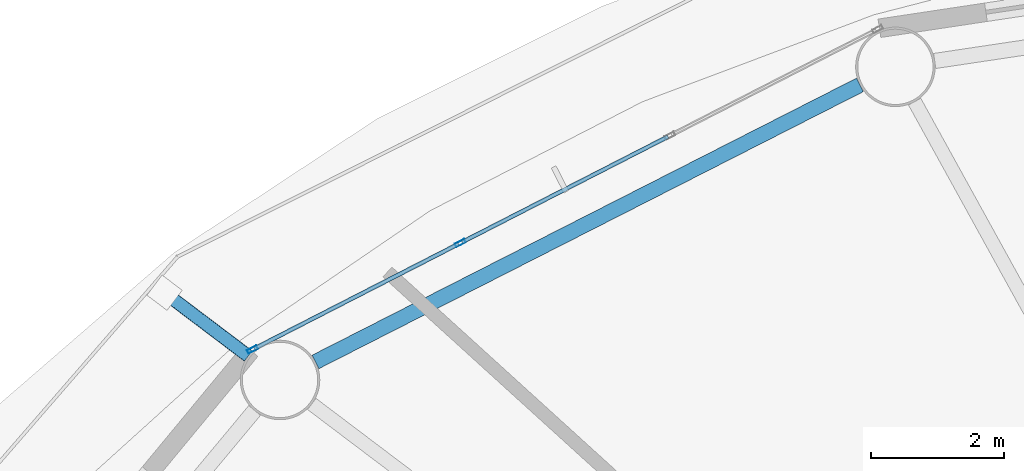
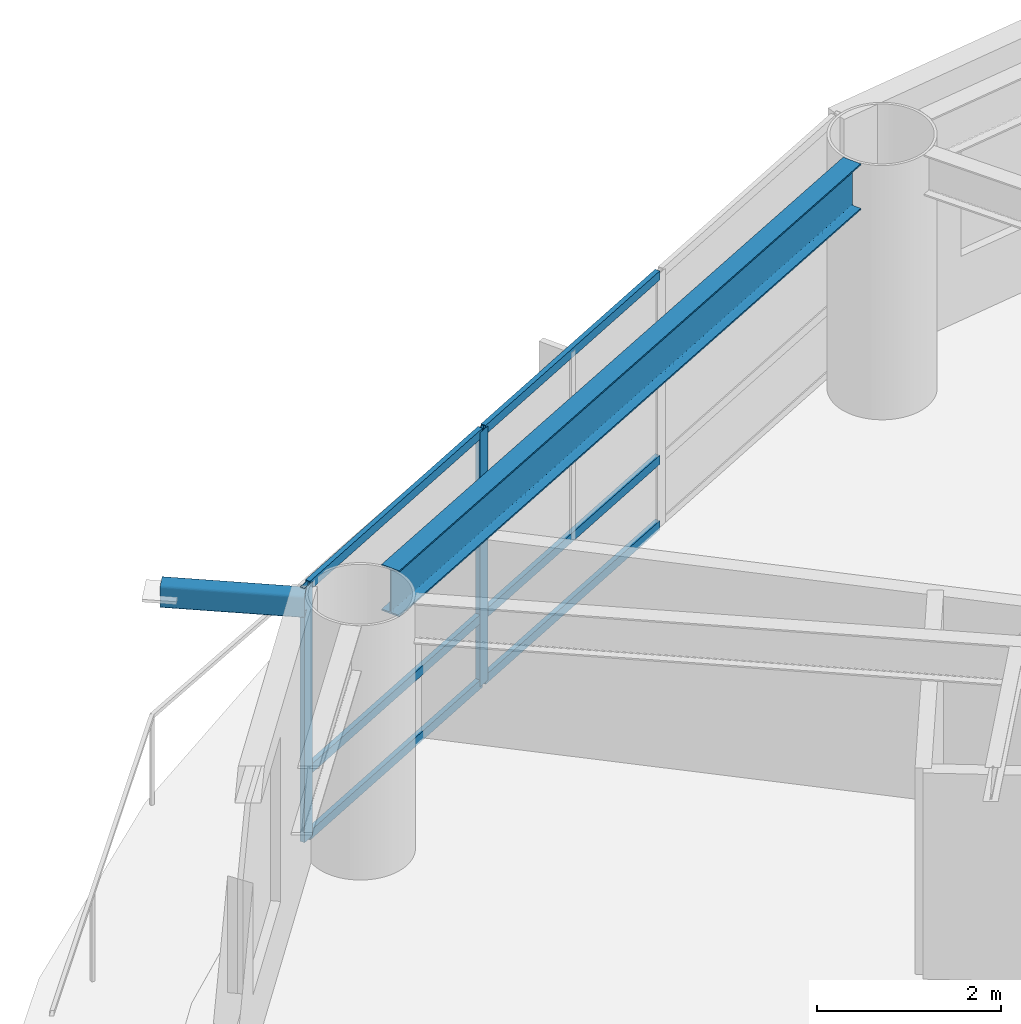
# One storey, part 8 of 24: 9 members, 1 beam, 1 element without a shape of its own.
"""IFC4 building model written with IfcOpenShell, lengths in metres."""

from ifc_helpers import new_model, si_unit, direction, frame, origin, origin_2d, place, context, subcontext, project, spatial, hollow_rectangle, i_section, extrude, material, layer, layer_set, material_profile, profile_set, type_object, element, aggregate, save


model = new_model("IFC4")

# Units and contexts
model_context = context("Model", 3, precision=1e-05, world=origin(), true_north=direction((0.0, 1.0)))
body_context = subcontext(model_context, "Body", "Model", "MODEL_VIEW")
ifc_project = project(units=[si_unit("LENGTHUNIT", "METRE"), si_unit("AREAUNIT", "SQUARE_METRE"), si_unit("VOLUMEUNIT", "CUBIC_METRE"), si_unit("PLANEANGLEUNIT", "RADIAN"), si_unit("MASSUNIT", "GRAM", prefix="KILO")], contexts=[model_context])

# Site, building, storey
site_placement = place(None, origin())
site = spatial("IfcSite", under=ifc_project, at=site_placement, CompositionType="ELEMENT")
building_placement = place(site_placement, origin())
building = spatial("IfcBuilding", under=site, at=building_placement, Name="Sarneth Arch Tower", CompositionType="ELEMENT")
storey_placement = place(building_placement, frame((0.0, 0.0, 105.60009765625)))
storey = spatial("IfcBuildingStorey", under=building, at=storey_placement, Name="L26", CompositionType="ELEMENT", Elevation=105.60009765625)

# Beam
ifc_material_1 = material(Name="Steel S355", Category="steel")
ifc_material_profile_1 = material_profile(ifc_material_1, i_section(OverallWidth=0.22900390625, OverallDepth=0.612060546875, WebThickness=0.011962890625, FlangeThickness=0.01953125, FilletRadius=0.01904296875, at=origin_2d()), Name="W610x125")
ifc_profile_set_1 = profile_set([ifc_material_profile_1], Name="Steel S355")
beam_type = type_object("IfcBeamType", Name="BM-SPAN-610C", PredefinedType="SPANDREL", material=ifc_profile_set_1)
beam_placement = place(storey_placement, frame((36.35498046875, 61.868408203125, 3.073974609375), z_axis=(-0.891259443414, -0.453493775619, 0.0), x_axis=(0.453493775619, -0.891259443414, 0.0)))
element("IfcBeam", 1, at=beam_placement, inside=storey, type_object=beam_type, Name="L26 Perimeter spandrel beam 06", PredefinedType="SPANDREL", context=body_context, shape_type="SweptSolid", body=[
    extrude(i_section(OverallWidth=0.22900390625, OverallDepth=0.612060546875, WebThickness=0.011962890625, FlangeThickness=0.01953125, FilletRadius=0.01904296875, at=origin_2d()), origin(), (0.0, 0.0, 1.0), 9.220458984375),
])

# Curtain wall, members
ifc_material_2 = material(Name="Anodised aluminium Type AA25 and solar-control low-e laminated IGU", Category="aluminium")
ifc_layer = layer(ifc_material_2, 0.159912109375)
ifc_layer_set = layer_set([ifc_layer], Name="Anodised aluminium Type AA25 and solar-control low-e laminated IGU")
curtain_wall_type = type_object("IfcCurtainWallType", Name="CW-HOTEL-MID", PredefinedType="NOTDEFINED", material=ifc_layer_set)
curtain_wall_placement = place(storey_placement, origin())
curtain_wall = element("IfcCurtainWall", 2, at=curtain_wall_placement, inside=storey, type_object=curtain_wall_type, Name="L26 Unitised curtain wall facet 06", PredefinedType="NOTDEFINED")
ifc_material_3 = material(Name="Anodised Aluminium 6063-T6", Category="aluminium")
ifc_material_profile_2 = material_profile(ifc_material_3, hollow_rectangle(XDim=0.06005859375, YDim=0.159912109375, WallThickness=0.00390625, at=origin_2d()), Name="AL-MULL-160x60x4")
ifc_profile_set_2 = profile_set([ifc_material_profile_2], Name="Anodised Aluminium 6063-T6")
member_type_1 = type_object("IfcMemberType", Name="CW-MULLION", PredefinedType="MULLION", material=ifc_profile_set_2)
member_1_placement = place(storey_placement, frame((30.322998046875, 59.481201171875, 0.0), z_axis=(0.0, 0.0, 1.0), x_axis=(0.456031365356, -0.889963703649, 0.0)))
member_1 = element("IfcMember", 3, at=member_1_placement, type_object=member_type_1, Name="CW-SYS-4 mullion 3", PredefinedType="MULLION", context=body_context, shape_type="SweptSolid", body=[
    extrude(hollow_rectangle(XDim=0.06005859375, YDim=0.159912109375, WallThickness=0.00390625, at=origin_2d()), origin(), (0.0, 0.0, 1.0), 3.3798828125),
])
member_2_placement = place(storey_placement, frame((27.186767578125, 57.8740234375, 0.0), z_axis=(0.0, 0.0, 1.0), x_axis=(0.456031365356, -0.889963703649, 0.0)))
member_2 = element("IfcMember", 4, at=member_2_placement, type_object=member_type_1, Name="CW-SYS-4 mullion 4", PredefinedType="MULLION", context=body_context, shape_type="SweptSolid", body=[
    extrude(hollow_rectangle(XDim=0.06005859375, YDim=0.159912109375, WallThickness=0.00390625, at=origin_2d()), origin(), (0.0, 0.0, 1.0), 3.3798828125),
])
ifc_material_4 = material(Name="Anodised Aluminium 6063-T6", Category="aluminium")
ifc_material_profile_3 = material_profile(ifc_material_4, hollow_rectangle(XDim=0.06005859375, YDim=0.1201171875, WallThickness=0.00390625, at=origin_2d()), Name="AL-TRAN-120x60x4")
ifc_profile_set_3 = profile_set([ifc_material_profile_3], Name="Anodised Aluminium 6063-T6")
member_type_2 = type_object("IfcMemberType", Name="CW-TRANSOM", PredefinedType="USERDEFINED", material=ifc_profile_set_3)
member_3_placement = place(storey_placement, frame((33.459228515625, 61.088134765625, 0.02978515625), z_axis=(-0.889981813856, -0.455996020823, 0.0), x_axis=(0.455996020823, -0.889981813856, 0.0)))
member_3 = element("IfcMember", 5, at=member_3_placement, type_object=member_type_2, Name="CW-SYS-4 transom 2.1", ObjectType="TRANSOM", PredefinedType="USERDEFINED", context=body_context, shape_type="SweptSolid", body=[
    extrude(hollow_rectangle(XDim=0.06005859375, YDim=0.1201171875, WallThickness=0.00390625, at=origin_2d()), origin(), (0.0, 0.0, 1.0), 3.494140625),
])
member_4_placement = place(storey_placement, frame((33.459228515625, 61.088134765625, 0.89990234375), z_axis=(-0.889981813856, -0.455996020823, 0.0), x_axis=(0.455996020823, -0.889981813856, 0.0)))
member_4 = element("IfcMember", 6, at=member_4_placement, type_object=member_type_2, Name="CW-SYS-4 transom 2.2", ObjectType="TRANSOM", PredefinedType="USERDEFINED", context=body_context, shape_type="SweptSolid", body=[
    extrude(hollow_rectangle(XDim=0.06005859375, YDim=0.1201171875, WallThickness=0.00390625, at=origin_2d()), origin(), (0.0, 0.0, 1.0), 3.494140625),
])
member_5_placement = place(storey_placement, frame((33.459228515625, 61.088134765625, 3.349853515625), z_axis=(-0.889981813856, -0.455996020823, 0.0), x_axis=(0.455996020823, -0.889981813856, 0.0)))
member_5 = element("IfcMember", 7, at=member_5_placement, type_object=member_type_2, Name="CW-SYS-4 transom 2.3", ObjectType="TRANSOM", PredefinedType="USERDEFINED", context=body_context, shape_type="SweptSolid", body=[
    extrude(hollow_rectangle(XDim=0.06005859375, YDim=0.1201171875, WallThickness=0.00390625, at=origin_2d()), origin(), (0.0, 0.0, 1.0), 3.494140625),
])
member_6_placement = place(storey_placement, frame((30.296142578125, 59.467529296875, 0.02978515625), z_axis=(-0.889942905184, -0.456071952122, 0.0), x_axis=(0.456071952122, -0.889942905184, 0.0)))
member_6 = element("IfcMember", 8, at=member_6_placement, type_object=member_type_2, Name="CW-SYS-4 transom 3.1", ObjectType="TRANSOM", PredefinedType="USERDEFINED", context=body_context, shape_type="SweptSolid", body=[
    extrude(hollow_rectangle(XDim=0.06005859375, YDim=0.1201171875, WallThickness=0.00390625, at=origin_2d()), origin(), (0.0, 0.0, 1.0), 3.464111328125),
])
member_7_placement = place(storey_placement, frame((30.296142578125, 59.467529296875, 0.89990234375), z_axis=(-0.889942905184, -0.456071952122, 0.0), x_axis=(0.456071952122, -0.889942905184, 0.0)))
member_7 = element("IfcMember", 9, at=member_7_placement, type_object=member_type_2, Name="CW-SYS-4 transom 3.2", ObjectType="TRANSOM", PredefinedType="USERDEFINED", context=body_context, shape_type="SweptSolid", body=[
    extrude(hollow_rectangle(XDim=0.06005859375, YDim=0.1201171875, WallThickness=0.00390625, at=origin_2d()), origin(), (0.0, 0.0, 1.0), 3.464111328125),
])
member_8_placement = place(storey_placement, frame((30.296142578125, 59.467529296875, 3.349853515625), z_axis=(-0.889942905184, -0.456071952122, 0.0), x_axis=(0.456071952122, -0.889942905184, 0.0)))
member_8 = element("IfcMember", 10, at=member_8_placement, type_object=member_type_2, Name="CW-SYS-4 transom 3.3", ObjectType="TRANSOM", PredefinedType="USERDEFINED", context=body_context, shape_type="SweptSolid", body=[
    extrude(hollow_rectangle(XDim=0.06005859375, YDim=0.1201171875, WallThickness=0.00390625, at=origin_2d()), origin(), (0.0, 0.0, 1.0), 3.464111328125),
])
aggregate(curtain_wall, [member_1, member_2, member_3, member_4, member_5, member_6, member_7, member_8])

# Member
ifc_material_5 = material(Name="Steel S355", Category="steel")
ifc_material_profile_4 = material_profile(ifc_material_5, hollow_rectangle(XDim=0.199951171875, YDim=0.300048828125, WallThickness=0.012451171875, InnerFilletRadius=0.018798828125, OuterFilletRadius=0.03125, at=origin_2d()), Name="RHS300x200x12.5")
ifc_profile_set_4 = profile_set([ifc_material_profile_4], Name="Steel S355")
member_type_3 = type_object("IfcMemberType", Name="MEM-CANT-STRUT", PredefinedType="STRUT", material=ifc_profile_set_4)
member_9_placement = place(storey_placement, frame((27.123779296875, 57.776611328125, 3.219970703125), z_axis=(-0.797831083939, 0.602881050873, 0.0), x_axis=(-0.602881050873, -0.797831083939, 0.0)))
element("IfcMember", 11, at=member_9_placement, inside=storey, type_object=member_type_3, Name="L26 Balcony cantilever bracket 07", PredefinedType="STRUT", context=body_context, shape_type="SweptSolid", body=[
    extrude(hollow_rectangle(XDim=0.199951171875, YDim=0.300048828125, WallThickness=0.012451171875, InnerFilletRadius=0.018798828125, OuterFilletRadius=0.03125, at=origin_2d()), origin(), (0.0, 0.0, 1.0), 1.584228515625),
])

save(model, "model.ifc")
